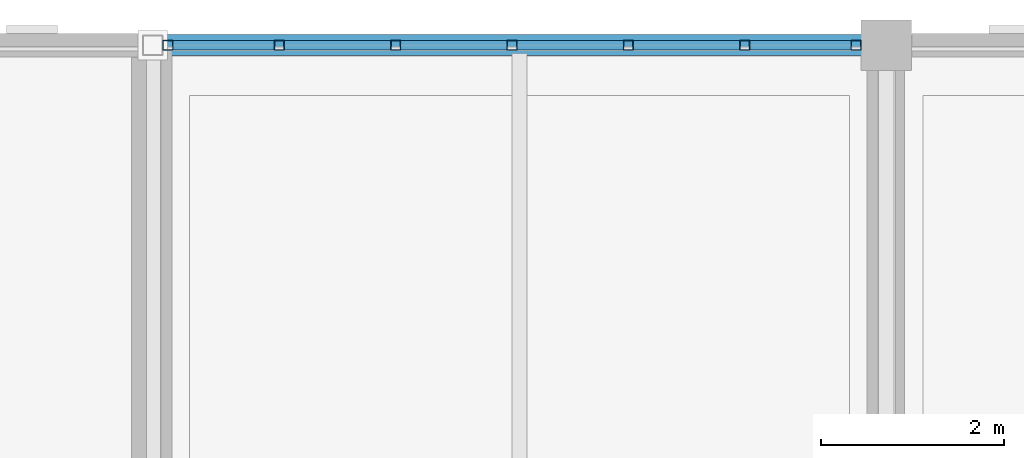
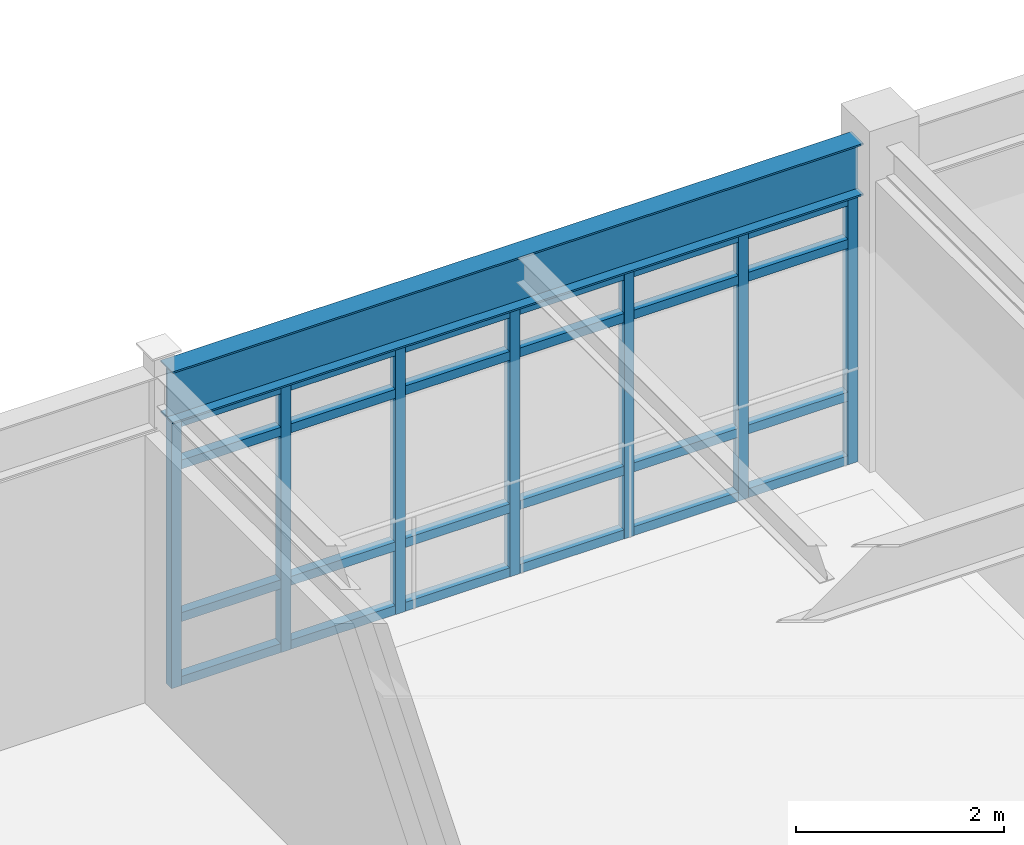
# One storey, part 6 of 11: 31 members, 1 beam, 1 element without a shape of its own.
"""IFC4 building model written with IfcOpenShell, lengths in metres."""

import ifcopenshell
import ifcopenshell.guid

model = None  # the IFC model being written
_history = None  # IfcOwnerHistory: only IFC2X3 demands one
_inside = {}  # id of a spatial element -> (the spatial element, [elements in it])
_under = {}  # id of a project, library or spatial element -> (it, [spatial elements below it])
_declared = {}  # id of a project -> (the project, [libraries it declares])
_typed = {}  # id of a type object -> (the type object, [elements of that type])
_made_of = {}  # id of a material, layer set ... -> (it, [elements and type objects made of it])


def new_model(schema):
    """Start an empty IFC model of exactly this schema.

    Asked for "IFC4X3", IfcOpenShell would pick the latest addendum, in which some entities
    have other attributes; the version numbers below select the first issue.
    IFC2X3 requires an IfcOwnerHistory on every rooted entity: one is made here for all.
    """
    global model, _history
    if schema == "IFC4X3":
        model = ifcopenshell.file(schema_version=(4, 3, 0, 0))
    else:
        model = ifcopenshell.file(schema=schema)
    _inside.clear()
    _under.clear()
    _declared.clear()
    _typed.clear()
    _made_of.clear()
    _history = None
    if model.schema == "IFC2X3":
        org = make("IfcOrganization", Name="unknown")
        user = make(
            "IfcPersonAndOrganization",
            ThePerson=make("IfcPerson", FamilyName="unknown"),
            TheOrganization=org,
        )
        app = make(
            "IfcApplication",
            ApplicationDeveloper=org,
            Version="unknown",
            ApplicationFullName="unknown",
            ApplicationIdentifier="unknown",
        )
        _history = make(
            "IfcOwnerHistory",
            OwningUser=user,
            OwningApplication=app,
            ChangeAction="ADDED",
            CreationDate=0,
        )
    return model


def make(cls, **values):
    """One entity of the class cls with the attributes given. An attribute that is None is left unset."""
    return model.create_entity(
        cls, **{name: value for name, value in values.items() if value is not None}
    )


def rooted(cls, **values):
    """An entity with a GlobalId (a new one), such as an element, a storey or a relation."""
    return make(cls, GlobalId=ifcopenshell.guid.new(), OwnerHistory=_history, **values)


def si_unit(unit_type, name, prefix=None):
    """IfcSIUnit, for example si_unit("LENGTHUNIT", "METRE", prefix="MILLI")."""
    return make("IfcSIUnit", UnitType=unit_type, Prefix=prefix, Name=name)


def assignment(units):
    """IfcUnitAssignment: the units of a project."""
    return None if units is None else make("IfcUnitAssignment", Units=units)


def point(xyz):
    """IfcCartesianPoint."""
    return None if xyz is None else make("IfcCartesianPoint", Coordinates=xyz)


def direction(xyz):
    """IfcDirection."""
    return None if xyz is None else make("IfcDirection", DirectionRatios=xyz)


def frame(location, z_axis=None, x_axis=None):
    """IfcAxis2Placement3D, a coordinate frame: its origin and axes. An axis left out is left unset."""
    return make(
        "IfcAxis2Placement3D",
        Location=point(location),
        Axis=direction(z_axis),
        RefDirection=direction(x_axis),
    )


def frame_2d(location, x_axis=None):
    """IfcAxis2Placement2D, a coordinate frame in the plane: its origin and x axis."""
    return make(
        "IfcAxis2Placement2D", Location=point(location), RefDirection=direction(x_axis)
    )


def origin():
    """The frame at (0, 0, 0) with its axes left unset."""
    return frame((0.0, 0.0, 0.0))


def origin_2d():
    """The frame at (0, 0) in the plane with its x axis left unset."""
    return frame_2d((0.0, 0.0))


def place(relative_to, where):
    """IfcLocalPlacement: puts the frame where relative to a parent placement (None: the world)."""
    return make(
        "IfcLocalPlacement", PlacementRelTo=relative_to, RelativePlacement=where
    )


def context(
    kind, dimensions, precision=None, world=None, true_north=None, identifier=None
):
    """IfcGeometricRepresentationContext, for example the 3D "Model" context."""
    return make(
        "IfcGeometricRepresentationContext",
        ContextIdentifier=identifier,
        ContextType=kind,
        CoordinateSpaceDimension=dimensions,
        Precision=precision,
        WorldCoordinateSystem=world,
        TrueNorth=true_north,
    )


def subcontext(parent, identifier, kind, view, scale=None):
    """IfcGeometricRepresentationSubContext, for example "Body" below "Model"."""
    return make(
        "IfcGeometricRepresentationSubContext",
        ContextIdentifier=identifier,
        ContextType=kind,
        ParentContext=parent,
        TargetScale=scale,
        TargetView=view,
    )


def project(units=None, contexts=None):
    """IfcProject with its units and contexts."""
    return rooted(
        "IfcProject",
        Name="project",
        RepresentationContexts=contexts,
        UnitsInContext=assignment(units),
    )


def spatial(cls, under=None, at=None, **own):
    """A site, building, storey or space (cls), placed at a placement, below another one or the project."""
    s = rooted(cls, ObjectPlacement=at, **own)
    if under is not None:
        _under.setdefault(under.id(), (under, []))[1].append(s)
    return s


def profile(cls, at=None, kind="AREA", **sizes):
    """A parametric profile (cls). Its sizes go by their IFC names, for example OverallWidth=200.0."""
    return make(cls, ProfileType=kind, Position=at, **sizes)


def hollow_rectangle(**sizes):
    """IfcRectangleHollowProfileDef."""
    return profile("IfcRectangleHollowProfileDef", **sizes)


def i_section(**sizes):
    """IfcIShapeProfileDef."""
    return profile("IfcIShapeProfileDef", **sizes)


def extrude(swept, where, along, depth):
    """IfcExtrudedAreaSolid: the profile swept, set in the frame where, extruded along a direction by depth."""
    return make(
        "IfcExtrudedAreaSolid",
        SweptArea=swept,
        Position=where,
        ExtrudedDirection=direction(along),
        Depth=depth,
    )


def shape(context_of_items, identifier, shape_type, items):
    """IfcShapeRepresentation: the items that make up one representation, for example the "Body"."""
    return make(
        "IfcShapeRepresentation",
        ContextOfItems=context_of_items,
        RepresentationIdentifier=identifier,
        RepresentationType=shape_type,
        Items=items,
    )


def material(Name=None, Category=None):
    """IfcMaterial."""
    return make("IfcMaterial", Name=Name, Category=Category)


def material_profile(
    of_material, cross_section, Name=None, Category=None, Priority=None
):
    """IfcMaterialProfile: a cross section and its material."""
    return make(
        "IfcMaterialProfile",
        Name=Name,
        Material=of_material,
        Profile=cross_section,
        Priority=Priority,
        Category=Category,
    )


def profile_set(profiles, Name=None, composite=None):
    """IfcMaterialProfileSet."""
    return make(
        "IfcMaterialProfileSet",
        Name=Name,
        MaterialProfiles=profiles,
        CompositeProfile=composite,
    )


def made_of(thing, what):
    """Note that an element or type object is made of a material, layer set ...; save() writes the relation."""
    if what is not None:
        _made_of.setdefault(what.id(), (what, []))[1].append(thing)
    return thing


def type_object(cls, material=None, **own):
    """A type object (cls), such as IfcWallType, which elements share."""
    return made_of(rooted(cls, **own), material)


def element(
    cls,
    number,
    at=None,
    inside=None,
    cuts=None,
    type_object=None,
    material=None,
    context=None,
    identifier="Body",
    shape_type=None,
    held_by="IfcProductDefinitionShape",
    body=None,
    shapes=None,
    **own,
):
    """One element of the class cls, such as IfcWall. Its Tag is "e" and its number.

    at: its placement. inside: the storey or other place that contains it. cuts: it is an
    opening in that element (IfcRelVoidsElement). A single representation is given by context,
    identifier, shape_type and body (its items); several are given by shapes. held_by: the class
    of the entity that holds the representations. save() writes the other relations.
    """
    e = rooted(cls, Tag="e%d" % number, ObjectPlacement=at, **own)
    if body is not None:
        shapes = [shape(context, identifier, shape_type, body)]
    if shapes is not None:
        e.Representation = make(held_by, Representations=shapes)
    if inside is not None:
        _inside.setdefault(inside.id(), (inside, []))[1].append(e)
    if cuts is not None:
        rooted(
            "IfcRelVoidsElement", RelatingBuildingElement=cuts, RelatedOpeningElement=e
        )
    if type_object is not None:
        _typed.setdefault(type_object.id(), (type_object, []))[1].append(e)
    return made_of(e, material)


def aggregate(whole, parts):
    """IfcRelAggregates: a whole, such as a stair, and the parts it consists of."""
    return rooted("IfcRelAggregates", RelatingObject=whole, RelatedObjects=parts)


def save(model, path):
    """Write the relations noted so far, then the file.

    IfcRelAggregates (storeys below a building ...), IfcRelContainedInSpatialStructure (elements
    in a storey), IfcRelDefinesByType, IfcRelAssociatesMaterial and IfcRelDeclares: one each for
    every whole, place, type object, material and project.
    """
    for whole, parts in _under.values():
        aggregate(whole, parts)
    for where, things in _inside.values():
        rooted(
            "IfcRelContainedInSpatialStructure",
            RelatedElements=things,
            RelatingStructure=where,
        )
    for kind, things in _typed.values():
        rooted("IfcRelDefinesByType", RelatedObjects=things, RelatingType=kind)
    for what, things in _made_of.values():
        rooted("IfcRelAssociatesMaterial", RelatedObjects=things, RelatingMaterial=what)
    for by, libraries in _declared.values():
        rooted("IfcRelDeclares", RelatingContext=by, RelatedDefinitions=libraries)
    model.write(path)


model = new_model("IFC4")

# Units and contexts
model_context = context("Model", 3, precision=1e-05, world=origin(), true_north=direction((0.0, 1.0)))
body_context = subcontext(model_context, "Body", "Model", "MODEL_VIEW")
ifc_project = project(units=[si_unit("LENGTHUNIT", "METRE"), si_unit("AREAUNIT", "SQUARE_METRE"), si_unit("VOLUMEUNIT", "CUBIC_METRE"), si_unit("PLANEANGLEUNIT", "RADIAN"), si_unit("MASSUNIT", "GRAM", prefix="KILO")], contexts=[model_context])

# Site, building, storey
site_placement = place(None, origin())
site = spatial("IfcSite", under=ifc_project, at=site_placement, CompositionType="ELEMENT")
building_placement = place(site_placement, origin())
building = spatial("IfcBuilding", under=site, at=building_placement, Name="Celadon Cloister-Ring School", CompositionType="ELEMENT")
storey_placement = place(building_placement, frame((0.0, 0.0, 20.5)))
storey = spatial("IfcBuildingStorey", under=building, at=storey_placement, Name="L05", CompositionType="ELEMENT", Elevation=20.5)

# Curtain wall, members
ifc_material_1 = material(Name="Aluminium EN AW-6063 T6", Category="aluminium")
curtain_wall_type = type_object("IfcCurtainWallType", Name="CW-18", PredefinedType="USERDEFINED", material=ifc_material_1)
curtain_wall_placement = place(storey_placement, origin())
curtain_wall = element("IfcCurtainWall", 1, at=curtain_wall_placement, inside=storey, type_object=curtain_wall_type, Name="Curtain Wall 0209", ObjectType="CURTAIN WALL", PredefinedType="USERDEFINED")
ifc_material_2 = material(Name="Aluminium EN AW-6063 T6", Category="aluminium")
ifc_material_profile_1 = material_profile(ifc_material_2, hollow_rectangle(XDim=0.110107421875, YDim=0.110107421875, WallThickness=0.0048828125, at=origin_2d()), Name="RHS110X110X5")
ifc_profile_set_1 = profile_set([ifc_material_profile_1], Name="Aluminium EN AW-6063 T6")
member_type_1 = type_object("IfcMemberType", Name="CM-01", PredefinedType="MULLION", material=ifc_profile_set_1)
member_1_placement = place(storey_placement, frame((8.1650390625, 68.0, 0.0), z_axis=(0.0, 0.0, 1.0), x_axis=(0.0, 1.0, 0.0)))
member_1 = element("IfcMember", 2, at=member_1_placement, type_object=member_type_1, Name="CW-18 mullion 1", PredefinedType="MULLION", context=body_context, shape_type="SweptSolid", body=[
    extrude(hollow_rectangle(XDim=0.110107421875, YDim=0.110107421875, WallThickness=0.0048828125, at=origin_2d()), origin(), (0.0, 0.0, 1.0), 3.139892578125),
])
member_2_placement = place(storey_placement, frame((9.379150390625, 68.0, 0.0), z_axis=(0.0, 0.0, 1.0), x_axis=(0.0, 1.0, 0.0)))
member_2 = element("IfcMember", 3, at=member_2_placement, type_object=member_type_1, Name="CW-18 mullion 2", PredefinedType="MULLION", context=body_context, shape_type="SweptSolid", body=[
    extrude(hollow_rectangle(XDim=0.110107421875, YDim=0.110107421875, WallThickness=0.0048828125, at=origin_2d()), origin(), (0.0, 0.0, 1.0), 3.139892578125),
])
member_3_placement = place(storey_placement, frame((10.6484375, 68.0, 0.0), z_axis=(0.0, 0.0, 1.0), x_axis=(0.0, 1.0, 0.0)))
member_3 = element("IfcMember", 4, at=member_3_placement, type_object=member_type_1, Name="CW-18 mullion 3", PredefinedType="MULLION", context=body_context, shape_type="SweptSolid", body=[
    extrude(hollow_rectangle(XDim=0.110107421875, YDim=0.110107421875, WallThickness=0.0048828125, at=origin_2d()), origin(), (0.0, 0.0, 1.0), 3.139892578125),
])
member_4_placement = place(storey_placement, frame((11.91748046875, 68.0, 0.0), z_axis=(0.0, 0.0, 1.0), x_axis=(0.0, 1.0, 0.0)))
member_4 = element("IfcMember", 5, at=member_4_placement, type_object=member_type_1, Name="CW-18 mullion 4", PredefinedType="MULLION", context=body_context, shape_type="SweptSolid", body=[
    extrude(hollow_rectangle(XDim=0.110107421875, YDim=0.110107421875, WallThickness=0.0048828125, at=origin_2d()), origin(), (0.0, 0.0, 1.0), 3.139892578125),
])
member_5_placement = place(storey_placement, frame((13.186767578125, 68.0, 0.0), z_axis=(0.0, 0.0, 1.0), x_axis=(0.0, 1.0, 0.0)))
member_5 = element("IfcMember", 6, at=member_5_placement, type_object=member_type_1, Name="CW-18 mullion 5", PredefinedType="MULLION", context=body_context, shape_type="SweptSolid", body=[
    extrude(hollow_rectangle(XDim=0.110107421875, YDim=0.110107421875, WallThickness=0.0048828125, at=origin_2d()), origin(), (0.0, 0.0, 1.0), 3.139892578125),
])
member_6_placement = place(storey_placement, frame((14.455810546875, 68.0, 0.0), z_axis=(0.0, 0.0, 1.0), x_axis=(0.0, 1.0, 0.0)))
member_6 = element("IfcMember", 7, at=member_6_placement, type_object=member_type_1, Name="CW-18 mullion 6", PredefinedType="MULLION", context=body_context, shape_type="SweptSolid", body=[
    extrude(hollow_rectangle(XDim=0.110107421875, YDim=0.110107421875, WallThickness=0.0048828125, at=origin_2d()), origin(), (0.0, 0.0, 1.0), 3.139892578125),
])
member_7_placement = place(storey_placement, frame((15.669921875, 68.0, 0.0), z_axis=(0.0, 0.0, 1.0), x_axis=(0.0, 1.0, 0.0)))
member_7 = element("IfcMember", 8, at=member_7_placement, type_object=member_type_1, Name="CW-18 mullion 7", PredefinedType="MULLION", context=body_context, shape_type="SweptSolid", body=[
    extrude(hollow_rectangle(XDim=0.110107421875, YDim=0.110107421875, WallThickness=0.0048828125, at=origin_2d()), origin(), (0.0, 0.0, 1.0), 3.139892578125),
])
ifc_material_3 = material(Name="Aluminium EN AW-6063 T6", Category="aluminium")
ifc_material_profile_2 = material_profile(ifc_material_3, hollow_rectangle(XDim=0.10498046875, YDim=0.10498046875, WallThickness=0.0048828125, at=origin_2d()), Name="RHS105X105X5")
ifc_profile_set_2 = profile_set([ifc_material_profile_2], Name="Aluminium EN AW-6063 T6")
member_type_2 = type_object("IfcMemberType", Name="CTM-01", PredefinedType="USERDEFINED", material=ifc_profile_set_2)
member_8_placement = place(storey_placement, frame((8.219970703125, 68.0, 0.052490234375), z_axis=(1.0, 0.0, 0.0), x_axis=(0.0, 1.0, 0.0)))
member_8 = element("IfcMember", 9, at=member_8_placement, type_object=member_type_2, Name="CW-18 transom 1.1", ObjectType="TRANSOM", PredefinedType="USERDEFINED", context=body_context, shape_type="SweptSolid", body=[
    extrude(hollow_rectangle(XDim=0.10498046875, YDim=0.10498046875, WallThickness=0.0048828125, at=origin_2d()), origin(), (0.0, 0.0, 1.0), 1.104248046875),
])
member_9_placement = place(storey_placement, frame((8.219970703125, 68.0, 0.800048828125), z_axis=(1.0, 0.0, 0.0), x_axis=(0.0, 1.0, 0.0)))
member_9 = element("IfcMember", 10, at=member_9_placement, type_object=member_type_2, Name="CW-18 transom 1.2", ObjectType="TRANSOM", PredefinedType="USERDEFINED", context=body_context, shape_type="SweptSolid", body=[
    extrude(hollow_rectangle(XDim=0.10498046875, YDim=0.10498046875, WallThickness=0.0048828125, at=origin_2d()), origin(), (0.0, 0.0, 1.0), 1.104248046875),
])
member_10_placement = place(storey_placement, frame((8.219970703125, 68.0, 2.590087890625), z_axis=(1.0, 0.0, 0.0), x_axis=(0.0, 1.0, 0.0)))
member_10 = element("IfcMember", 11, at=member_10_placement, type_object=member_type_2, Name="CW-18 transom 1.3", ObjectType="TRANSOM", PredefinedType="USERDEFINED", context=body_context, shape_type="SweptSolid", body=[
    extrude(hollow_rectangle(XDim=0.10498046875, YDim=0.10498046875, WallThickness=0.0048828125, at=origin_2d()), origin(), (0.0, 0.0, 1.0), 1.104248046875),
])
member_11_placement = place(storey_placement, frame((8.219970703125, 68.0, 3.08740234375), z_axis=(1.0, 0.0, 0.0), x_axis=(0.0, 1.0, 0.0)))
member_11 = element("IfcMember", 12, at=member_11_placement, type_object=member_type_2, Name="CW-18 transom 1.4", ObjectType="TRANSOM", PredefinedType="USERDEFINED", context=body_context, shape_type="SweptSolid", body=[
    extrude(hollow_rectangle(XDim=0.10498046875, YDim=0.10498046875, WallThickness=0.0048828125, at=origin_2d()), origin(), (0.0, 0.0, 1.0), 1.104248046875),
])
member_12_placement = place(storey_placement, frame((9.43408203125, 68.0, 0.052490234375), z_axis=(1.0, 0.0, 0.0), x_axis=(0.0, 1.0, 0.0)))
member_12 = element("IfcMember", 13, at=member_12_placement, type_object=member_type_2, Name="CW-18 transom 2.1", ObjectType="TRANSOM", PredefinedType="USERDEFINED", context=body_context, shape_type="SweptSolid", body=[
    extrude(hollow_rectangle(XDim=0.10498046875, YDim=0.10498046875, WallThickness=0.0048828125, at=origin_2d()), origin(), (0.0, 0.0, 1.0), 1.1591796875),
])
member_13_placement = place(storey_placement, frame((9.43408203125, 68.0, 0.800048828125), z_axis=(1.0, 0.0, 0.0), x_axis=(0.0, 1.0, 0.0)))
member_13 = element("IfcMember", 14, at=member_13_placement, type_object=member_type_2, Name="CW-18 transom 2.2", ObjectType="TRANSOM", PredefinedType="USERDEFINED", context=body_context, shape_type="SweptSolid", body=[
    extrude(hollow_rectangle(XDim=0.10498046875, YDim=0.10498046875, WallThickness=0.0048828125, at=origin_2d()), origin(), (0.0, 0.0, 1.0), 1.1591796875),
])
member_14_placement = place(storey_placement, frame((9.43408203125, 68.0, 2.590087890625), z_axis=(1.0, 0.0, 0.0), x_axis=(0.0, 1.0, 0.0)))
member_14 = element("IfcMember", 15, at=member_14_placement, type_object=member_type_2, Name="CW-18 transom 2.3", ObjectType="TRANSOM", PredefinedType="USERDEFINED", context=body_context, shape_type="SweptSolid", body=[
    extrude(hollow_rectangle(XDim=0.10498046875, YDim=0.10498046875, WallThickness=0.0048828125, at=origin_2d()), origin(), (0.0, 0.0, 1.0), 1.1591796875),
])
member_15_placement = place(storey_placement, frame((9.43408203125, 68.0, 3.08740234375), z_axis=(1.0, 0.0, 0.0), x_axis=(0.0, 1.0, 0.0)))
member_15 = element("IfcMember", 16, at=member_15_placement, type_object=member_type_2, Name="CW-18 transom 2.4", ObjectType="TRANSOM", PredefinedType="USERDEFINED", context=body_context, shape_type="SweptSolid", body=[
    extrude(hollow_rectangle(XDim=0.10498046875, YDim=0.10498046875, WallThickness=0.0048828125, at=origin_2d()), origin(), (0.0, 0.0, 1.0), 1.1591796875),
])
member_16_placement = place(storey_placement, frame((10.703369140625, 68.0, 0.052490234375), z_axis=(1.0, 0.0, 0.0), x_axis=(0.0, 1.0, 0.0)))
member_16 = element("IfcMember", 17, at=member_16_placement, type_object=member_type_2, Name="CW-18 transom 3.1", ObjectType="TRANSOM", PredefinedType="USERDEFINED", context=body_context, shape_type="SweptSolid", body=[
    extrude(hollow_rectangle(XDim=0.10498046875, YDim=0.10498046875, WallThickness=0.0048828125, at=origin_2d()), origin(), (0.0, 0.0, 1.0), 1.1591796875),
])
member_17_placement = place(storey_placement, frame((10.703369140625, 68.0, 0.800048828125), z_axis=(1.0, 0.0, 0.0), x_axis=(0.0, 1.0, 0.0)))
member_17 = element("IfcMember", 18, at=member_17_placement, type_object=member_type_2, Name="CW-18 transom 3.2", ObjectType="TRANSOM", PredefinedType="USERDEFINED", context=body_context, shape_type="SweptSolid", body=[
    extrude(hollow_rectangle(XDim=0.10498046875, YDim=0.10498046875, WallThickness=0.0048828125, at=origin_2d()), origin(), (0.0, 0.0, 1.0), 1.1591796875),
])
member_18_placement = place(storey_placement, frame((10.703369140625, 68.0, 2.590087890625), z_axis=(1.0, 0.0, 0.0), x_axis=(0.0, 1.0, 0.0)))
member_18 = element("IfcMember", 19, at=member_18_placement, type_object=member_type_2, Name="CW-18 transom 3.3", ObjectType="TRANSOM", PredefinedType="USERDEFINED", context=body_context, shape_type="SweptSolid", body=[
    extrude(hollow_rectangle(XDim=0.10498046875, YDim=0.10498046875, WallThickness=0.0048828125, at=origin_2d()), origin(), (0.0, 0.0, 1.0), 1.1591796875),
])
member_19_placement = place(storey_placement, frame((10.703369140625, 68.0, 3.08740234375), z_axis=(1.0, 0.0, 0.0), x_axis=(0.0, 1.0, 0.0)))
member_19 = element("IfcMember", 20, at=member_19_placement, type_object=member_type_2, Name="CW-18 transom 3.4", ObjectType="TRANSOM", PredefinedType="USERDEFINED", context=body_context, shape_type="SweptSolid", body=[
    extrude(hollow_rectangle(XDim=0.10498046875, YDim=0.10498046875, WallThickness=0.0048828125, at=origin_2d()), origin(), (0.0, 0.0, 1.0), 1.1591796875),
])
member_20_placement = place(storey_placement, frame((11.972412109375, 68.0, 0.052490234375), z_axis=(1.0, 0.0, 0.0), x_axis=(0.0, 1.0, 0.0)))
member_20 = element("IfcMember", 21, at=member_20_placement, type_object=member_type_2, Name="CW-18 transom 4.1", ObjectType="TRANSOM", PredefinedType="USERDEFINED", context=body_context, shape_type="SweptSolid", body=[
    extrude(hollow_rectangle(XDim=0.10498046875, YDim=0.10498046875, WallThickness=0.0048828125, at=origin_2d()), origin(), (0.0, 0.0, 1.0), 1.1591796875),
])
member_21_placement = place(storey_placement, frame((11.972412109375, 68.0, 0.800048828125), z_axis=(1.0, 0.0, 0.0), x_axis=(0.0, 1.0, 0.0)))
member_21 = element("IfcMember", 22, at=member_21_placement, type_object=member_type_2, Name="CW-18 transom 4.2", ObjectType="TRANSOM", PredefinedType="USERDEFINED", context=body_context, shape_type="SweptSolid", body=[
    extrude(hollow_rectangle(XDim=0.10498046875, YDim=0.10498046875, WallThickness=0.0048828125, at=origin_2d()), origin(), (0.0, 0.0, 1.0), 1.1591796875),
])
member_22_placement = place(storey_placement, frame((11.972412109375, 68.0, 2.590087890625), z_axis=(1.0, 0.0, 0.0), x_axis=(0.0, 1.0, 0.0)))
member_22 = element("IfcMember", 23, at=member_22_placement, type_object=member_type_2, Name="CW-18 transom 4.3", ObjectType="TRANSOM", PredefinedType="USERDEFINED", context=body_context, shape_type="SweptSolid", body=[
    extrude(hollow_rectangle(XDim=0.10498046875, YDim=0.10498046875, WallThickness=0.0048828125, at=origin_2d()), origin(), (0.0, 0.0, 1.0), 1.1591796875),
])
member_23_placement = place(storey_placement, frame((11.972412109375, 68.0, 3.08740234375), z_axis=(1.0, 0.0, 0.0), x_axis=(0.0, 1.0, 0.0)))
member_23 = element("IfcMember", 24, at=member_23_placement, type_object=member_type_2, Name="CW-18 transom 4.4", ObjectType="TRANSOM", PredefinedType="USERDEFINED", context=body_context, shape_type="SweptSolid", body=[
    extrude(hollow_rectangle(XDim=0.10498046875, YDim=0.10498046875, WallThickness=0.0048828125, at=origin_2d()), origin(), (0.0, 0.0, 1.0), 1.1591796875),
])
member_24_placement = place(storey_placement, frame((13.24169921875, 68.0, 0.052490234375), z_axis=(1.0, 0.0, 0.0), x_axis=(0.0, 1.0, 0.0)))
member_24 = element("IfcMember", 25, at=member_24_placement, type_object=member_type_2, Name="CW-18 transom 5.1", ObjectType="TRANSOM", PredefinedType="USERDEFINED", context=body_context, shape_type="SweptSolid", body=[
    extrude(hollow_rectangle(XDim=0.10498046875, YDim=0.10498046875, WallThickness=0.0048828125, at=origin_2d()), origin(), (0.0, 0.0, 1.0), 1.1591796875),
])
member_25_placement = place(storey_placement, frame((13.24169921875, 68.0, 0.800048828125), z_axis=(1.0, 0.0, 0.0), x_axis=(0.0, 1.0, 0.0)))
member_25 = element("IfcMember", 26, at=member_25_placement, type_object=member_type_2, Name="CW-18 transom 5.2", ObjectType="TRANSOM", PredefinedType="USERDEFINED", context=body_context, shape_type="SweptSolid", body=[
    extrude(hollow_rectangle(XDim=0.10498046875, YDim=0.10498046875, WallThickness=0.0048828125, at=origin_2d()), origin(), (0.0, 0.0, 1.0), 1.1591796875),
])
member_26_placement = place(storey_placement, frame((13.24169921875, 68.0, 2.590087890625), z_axis=(1.0, 0.0, 0.0), x_axis=(0.0, 1.0, 0.0)))
member_26 = element("IfcMember", 27, at=member_26_placement, type_object=member_type_2, Name="CW-18 transom 5.3", ObjectType="TRANSOM", PredefinedType="USERDEFINED", context=body_context, shape_type="SweptSolid", body=[
    extrude(hollow_rectangle(XDim=0.10498046875, YDim=0.10498046875, WallThickness=0.0048828125, at=origin_2d()), origin(), (0.0, 0.0, 1.0), 1.1591796875),
])
member_27_placement = place(storey_placement, frame((13.24169921875, 68.0, 3.08740234375), z_axis=(1.0, 0.0, 0.0), x_axis=(0.0, 1.0, 0.0)))
member_27 = element("IfcMember", 28, at=member_27_placement, type_object=member_type_2, Name="CW-18 transom 5.4", ObjectType="TRANSOM", PredefinedType="USERDEFINED", context=body_context, shape_type="SweptSolid", body=[
    extrude(hollow_rectangle(XDim=0.10498046875, YDim=0.10498046875, WallThickness=0.0048828125, at=origin_2d()), origin(), (0.0, 0.0, 1.0), 1.1591796875),
])
member_28_placement = place(storey_placement, frame((14.5107421875, 68.0, 0.052490234375), z_axis=(1.0, 0.0, 0.0), x_axis=(0.0, 1.0, 0.0)))
member_28 = element("IfcMember", 29, at=member_28_placement, type_object=member_type_2, Name="CW-18 transom 6.1", ObjectType="TRANSOM", PredefinedType="USERDEFINED", context=body_context, shape_type="SweptSolid", body=[
    extrude(hollow_rectangle(XDim=0.10498046875, YDim=0.10498046875, WallThickness=0.0048828125, at=origin_2d()), origin(), (0.0, 0.0, 1.0), 1.104248046875),
])
member_29_placement = place(storey_placement, frame((14.5107421875, 68.0, 0.800048828125), z_axis=(1.0, 0.0, 0.0), x_axis=(0.0, 1.0, 0.0)))
member_29 = element("IfcMember", 30, at=member_29_placement, type_object=member_type_2, Name="CW-18 transom 6.2", ObjectType="TRANSOM", PredefinedType="USERDEFINED", context=body_context, shape_type="SweptSolid", body=[
    extrude(hollow_rectangle(XDim=0.10498046875, YDim=0.10498046875, WallThickness=0.0048828125, at=origin_2d()), origin(), (0.0, 0.0, 1.0), 1.104248046875),
])
member_30_placement = place(storey_placement, frame((14.5107421875, 68.0, 2.590087890625), z_axis=(1.0, 0.0, 0.0), x_axis=(0.0, 1.0, 0.0)))
member_30 = element("IfcMember", 31, at=member_30_placement, type_object=member_type_2, Name="CW-18 transom 6.3", ObjectType="TRANSOM", PredefinedType="USERDEFINED", context=body_context, shape_type="SweptSolid", body=[
    extrude(hollow_rectangle(XDim=0.10498046875, YDim=0.10498046875, WallThickness=0.0048828125, at=origin_2d()), origin(), (0.0, 0.0, 1.0), 1.104248046875),
])
member_31_placement = place(storey_placement, frame((14.5107421875, 68.0, 3.08740234375), z_axis=(1.0, 0.0, 0.0), x_axis=(0.0, 1.0, 0.0)))
member_31 = element("IfcMember", 32, at=member_31_placement, type_object=member_type_2, Name="CW-18 transom 6.4", ObjectType="TRANSOM", PredefinedType="USERDEFINED", context=body_context, shape_type="SweptSolid", body=[
    extrude(hollow_rectangle(XDim=0.10498046875, YDim=0.10498046875, WallThickness=0.0048828125, at=origin_2d()), origin(), (0.0, 0.0, 1.0), 1.104248046875),
])
aggregate(curtain_wall, [member_1, member_2, member_3, member_4, member_5, member_6, member_7, member_8, member_9, member_10, member_11, member_12, member_13, member_14, member_15, member_16, member_17, member_18, member_19, member_20, member_21, member_22, member_23, member_24, member_25, member_26, member_27, member_28, member_29, member_30, member_31])

# Beam
ifc_material_4 = material(Name="Structural steel S355JR", Category="steel")
ifc_material_profile_3 = material_profile(ifc_material_4, i_section(OverallWidth=0.22900390625, OverallDepth=0.612060546875, WebThickness=0.011962890625, FlangeThickness=0.01953125, at=origin_2d()), Name="W610X125")
ifc_profile_set_3 = profile_set([ifc_material_profile_3], Name="Structural steel S355JR")
beam_type = type_object("IfcBeamType", Name="GT-05", PredefinedType="USERDEFINED", material=ifc_profile_set_3)
beam_placement = place(storey_placement, frame((8.0849609375, 68.0, 3.4541015625), z_axis=(1.0, 0.0, 0.0), x_axis=(0.0, 1.0, 0.0)))
element("IfcBeam", 33, at=beam_placement, inside=storey, type_object=beam_type, Name="Beam 1687", ObjectType="GIRDER", PredefinedType="USERDEFINED", context=body_context, shape_type="SweptSolid", body=[
    extrude(i_section(OverallWidth=0.22900390625, OverallDepth=0.612060546875, WebThickness=0.011962890625, FlangeThickness=0.01953125, at=origin_2d()), origin(), (0.0, 0.0, 1.0), 7.6650390625),
])

save(model, "model.ifc")
